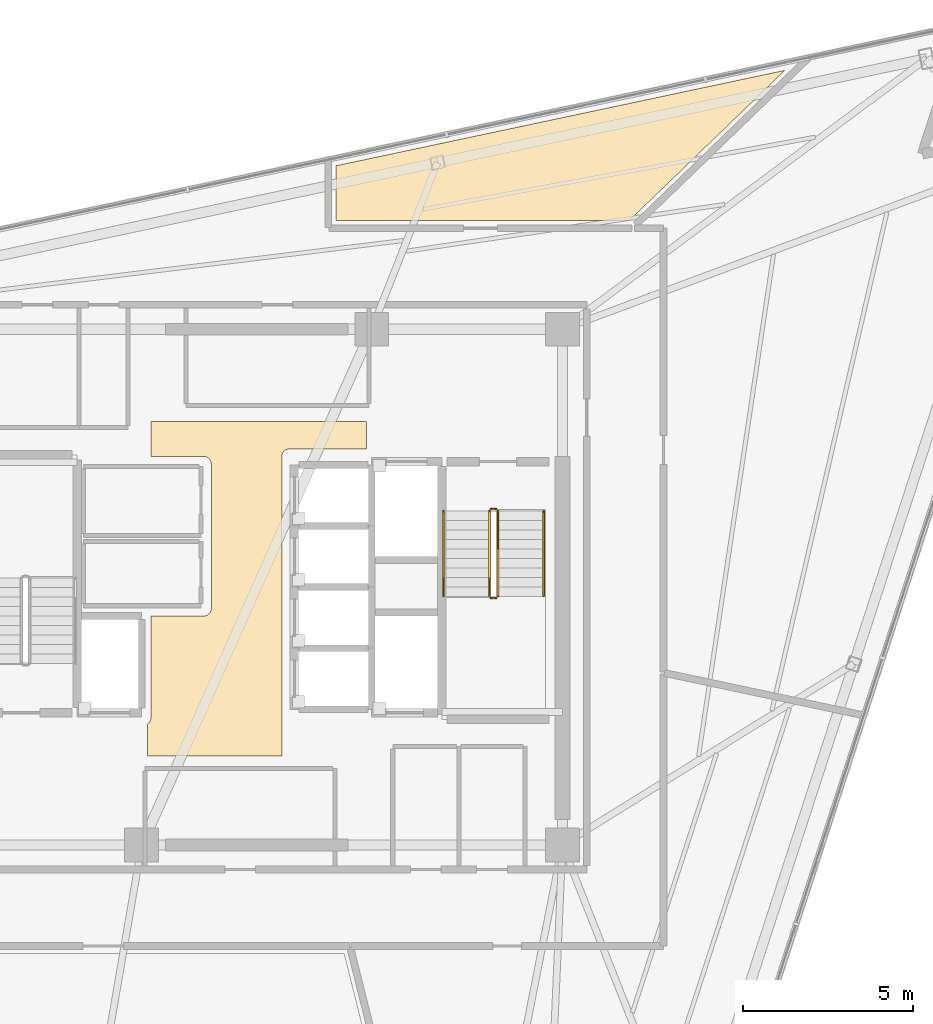
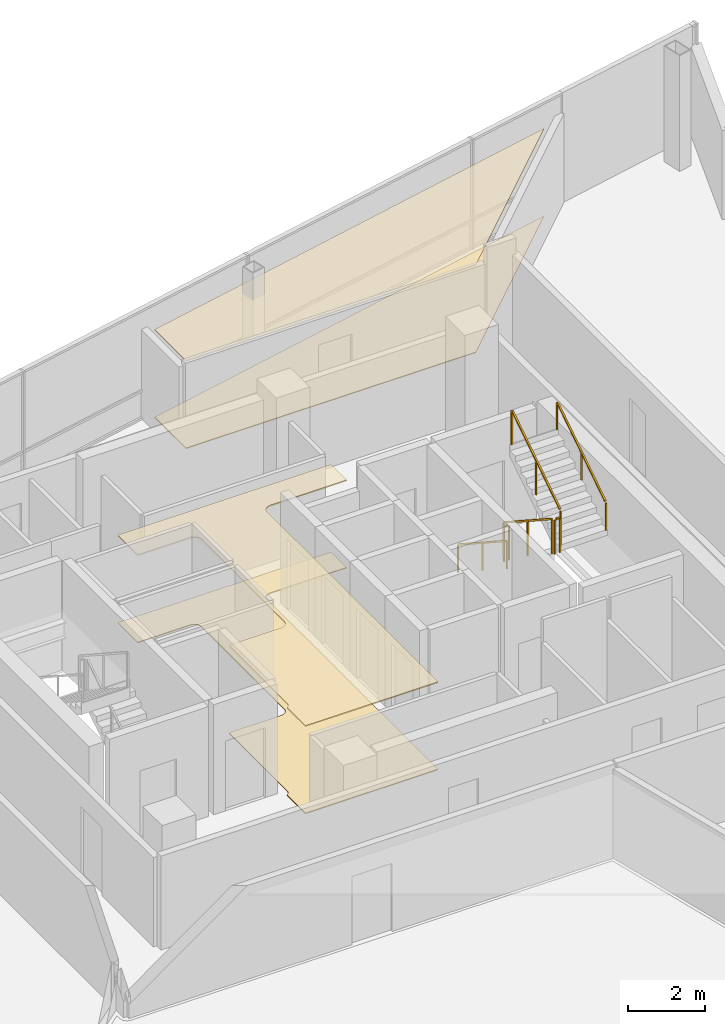
# One storey, part 15 of 15: 6 railings, 4 coverings.
"""IFC4 building model written with IfcOpenShell, lengths in metres."""

import ifcopenshell
import ifcopenshell.guid

model = None  # the IFC model being written
_history = None  # IfcOwnerHistory: only IFC2X3 demands one
_inside = {}  # id of a spatial element -> (the spatial element, [elements in it])
_under = {}  # id of a project, library or spatial element -> (it, [spatial elements below it])
_declared = {}  # id of a project -> (the project, [libraries it declares])
_typed = {}  # id of a type object -> (the type object, [elements of that type])
_made_of = {}  # id of a material, layer set ... -> (it, [elements and type objects made of it])


def new_model(schema):
    """Start an empty IFC model of exactly this schema.

    Asked for "IFC4X3", IfcOpenShell would pick the latest addendum, in which some entities
    have other attributes; the version numbers below select the first issue.
    IFC2X3 requires an IfcOwnerHistory on every rooted entity: one is made here for all.
    """
    global model, _history
    if schema == "IFC4X3":
        model = ifcopenshell.file(schema_version=(4, 3, 0, 0))
    else:
        model = ifcopenshell.file(schema=schema)
    _inside.clear()
    _under.clear()
    _declared.clear()
    _typed.clear()
    _made_of.clear()
    _history = None
    if model.schema == "IFC2X3":
        org = make("IfcOrganization", Name="unknown")
        user = make(
            "IfcPersonAndOrganization",
            ThePerson=make("IfcPerson", FamilyName="unknown"),
            TheOrganization=org,
        )
        app = make(
            "IfcApplication",
            ApplicationDeveloper=org,
            Version="unknown",
            ApplicationFullName="unknown",
            ApplicationIdentifier="unknown",
        )
        _history = make(
            "IfcOwnerHistory",
            OwningUser=user,
            OwningApplication=app,
            ChangeAction="ADDED",
            CreationDate=0,
        )
    return model


def make(cls, **values):
    """One entity of the class cls with the attributes given. An attribute that is None is left unset."""
    return model.create_entity(
        cls, **{name: value for name, value in values.items() if value is not None}
    )


def rooted(cls, **values):
    """An entity with a GlobalId (a new one), such as an element, a storey or a relation."""
    return make(cls, GlobalId=ifcopenshell.guid.new(), OwnerHistory=_history, **values)


def si_unit(unit_type, name, prefix=None):
    """IfcSIUnit, for example si_unit("LENGTHUNIT", "METRE", prefix="MILLI")."""
    return make("IfcSIUnit", UnitType=unit_type, Prefix=prefix, Name=name)


def assignment(units):
    """IfcUnitAssignment: the units of a project."""
    return None if units is None else make("IfcUnitAssignment", Units=units)


def point(xyz):
    """IfcCartesianPoint."""
    return None if xyz is None else make("IfcCartesianPoint", Coordinates=xyz)


def direction(xyz):
    """IfcDirection."""
    return None if xyz is None else make("IfcDirection", DirectionRatios=xyz)


def frame(location, z_axis=None, x_axis=None):
    """IfcAxis2Placement3D, a coordinate frame: its origin and axes. An axis left out is left unset."""
    return make(
        "IfcAxis2Placement3D",
        Location=point(location),
        Axis=direction(z_axis),
        RefDirection=direction(x_axis),
    )


def frame_2d(location, x_axis=None):
    """IfcAxis2Placement2D, a coordinate frame in the plane: its origin and x axis."""
    return make(
        "IfcAxis2Placement2D", Location=point(location), RefDirection=direction(x_axis)
    )


def origin():
    """The frame at (0, 0, 0) with its axes left unset."""
    return frame((0.0, 0.0, 0.0))


def origin_2d():
    """The frame at (0, 0) in the plane with its x axis left unset."""
    return frame_2d((0.0, 0.0))


def place(relative_to, where):
    """IfcLocalPlacement: puts the frame where relative to a parent placement (None: the world)."""
    return make(
        "IfcLocalPlacement", PlacementRelTo=relative_to, RelativePlacement=where
    )


def context(
    kind, dimensions, precision=None, world=None, true_north=None, identifier=None
):
    """IfcGeometricRepresentationContext, for example the 3D "Model" context."""
    return make(
        "IfcGeometricRepresentationContext",
        ContextIdentifier=identifier,
        ContextType=kind,
        CoordinateSpaceDimension=dimensions,
        Precision=precision,
        WorldCoordinateSystem=world,
        TrueNorth=true_north,
    )


def subcontext(parent, identifier, kind, view, scale=None):
    """IfcGeometricRepresentationSubContext, for example "Body" below "Model"."""
    return make(
        "IfcGeometricRepresentationSubContext",
        ContextIdentifier=identifier,
        ContextType=kind,
        ParentContext=parent,
        TargetScale=scale,
        TargetView=view,
    )


def project(units=None, contexts=None):
    """IfcProject with its units and contexts."""
    return rooted(
        "IfcProject",
        Name="project",
        RepresentationContexts=contexts,
        UnitsInContext=assignment(units),
    )


def spatial(cls, under=None, at=None, **own):
    """A site, building, storey or space (cls), placed at a placement, below another one or the project."""
    s = rooted(cls, ObjectPlacement=at, **own)
    if under is not None:
        _under.setdefault(under.id(), (under, []))[1].append(s)
    return s


def polyline(points):
    """IfcPolyline through the points."""
    return make("IfcPolyline", Points=[point(p) for p in points])


def profile(cls, at=None, kind="AREA", **sizes):
    """A parametric profile (cls). Its sizes go by their IFC names, for example OverallWidth=200.0."""
    return make(cls, ProfileType=kind, Position=at, **sizes)


def rectangle(**sizes):
    """IfcRectangleProfileDef."""
    return profile("IfcRectangleProfileDef", **sizes)


def outline(outer, holes=None, kind="AREA"):
    """IfcArbitraryClosedProfileDef: a profile drawn as a closed curve; with holes, ...WithVoids."""
    if holes is None:
        return make("IfcArbitraryClosedProfileDef", ProfileType=kind, OuterCurve=outer)
    return make(
        "IfcArbitraryProfileDefWithVoids",
        ProfileType=kind,
        OuterCurve=outer,
        InnerCurves=holes,
    )


def extrude(swept, where, along, depth):
    """IfcExtrudedAreaSolid: the profile swept, set in the frame where, extruded along a direction by depth."""
    return make(
        "IfcExtrudedAreaSolid",
        SweptArea=swept,
        Position=where,
        ExtrudedDirection=direction(along),
        Depth=depth,
    )


def shape(context_of_items, identifier, shape_type, items):
    """IfcShapeRepresentation: the items that make up one representation, for example the "Body"."""
    return make(
        "IfcShapeRepresentation",
        ContextOfItems=context_of_items,
        RepresentationIdentifier=identifier,
        RepresentationType=shape_type,
        Items=items,
    )


def material(Name=None, Category=None):
    """IfcMaterial."""
    return make("IfcMaterial", Name=Name, Category=Category)


def layer(
    of_material, thickness, ventilated=None, Name=None, Category=None, Priority=None
):
    """IfcMaterialLayer: one layer of a wall or slab, of a material (None: an air gap)."""
    return make(
        "IfcMaterialLayer",
        Material=of_material,
        LayerThickness=thickness,
        IsVentilated=ventilated,
        Name=Name,
        Category=Category,
        Priority=Priority,
    )


def layer_set(layers, Name=None):
    """IfcMaterialLayerSet."""
    return make("IfcMaterialLayerSet", MaterialLayers=layers, LayerSetName=Name)


def made_of(thing, what):
    """Note that an element or type object is made of a material, layer set ...; save() writes the relation."""
    if what is not None:
        _made_of.setdefault(what.id(), (what, []))[1].append(thing)
    return thing


def type_object(cls, material=None, **own):
    """A type object (cls), such as IfcWallType, which elements share."""
    return made_of(rooted(cls, **own), material)


def element(
    cls,
    number,
    at=None,
    inside=None,
    cuts=None,
    type_object=None,
    material=None,
    context=None,
    identifier="Body",
    shape_type=None,
    held_by="IfcProductDefinitionShape",
    body=None,
    shapes=None,
    **own,
):
    """One element of the class cls, such as IfcWall. Its Tag is "e" and its number.

    at: its placement. inside: the storey or other place that contains it. cuts: it is an
    opening in that element (IfcRelVoidsElement). A single representation is given by context,
    identifier, shape_type and body (its items); several are given by shapes. held_by: the class
    of the entity that holds the representations. save() writes the other relations.
    """
    e = rooted(cls, Tag="e%d" % number, ObjectPlacement=at, **own)
    if body is not None:
        shapes = [shape(context, identifier, shape_type, body)]
    if shapes is not None:
        e.Representation = make(held_by, Representations=shapes)
    if inside is not None:
        _inside.setdefault(inside.id(), (inside, []))[1].append(e)
    if cuts is not None:
        rooted(
            "IfcRelVoidsElement", RelatingBuildingElement=cuts, RelatedOpeningElement=e
        )
    if type_object is not None:
        _typed.setdefault(type_object.id(), (type_object, []))[1].append(e)
    return made_of(e, material)


def aggregate(whole, parts):
    """IfcRelAggregates: a whole, such as a stair, and the parts it consists of."""
    return rooted("IfcRelAggregates", RelatingObject=whole, RelatedObjects=parts)


def save(model, path):
    """Write the relations noted so far, then the file.

    IfcRelAggregates (storeys below a building ...), IfcRelContainedInSpatialStructure (elements
    in a storey), IfcRelDefinesByType, IfcRelAssociatesMaterial and IfcRelDeclares: one each for
    every whole, place, type object, material and project.
    """
    for whole, parts in _under.values():
        aggregate(whole, parts)
    for where, things in _inside.values():
        rooted(
            "IfcRelContainedInSpatialStructure",
            RelatedElements=things,
            RelatingStructure=where,
        )
    for kind, things in _typed.values():
        rooted("IfcRelDefinesByType", RelatedObjects=things, RelatingType=kind)
    for what, things in _made_of.values():
        rooted("IfcRelAssociatesMaterial", RelatedObjects=things, RelatingMaterial=what)
    for by, libraries in _declared.values():
        rooted("IfcRelDeclares", RelatingContext=by, RelatedDefinitions=libraries)
    model.write(path)


model = new_model("IFC4")

# Units and contexts
model_context = context("Model", 3, precision=1e-05, world=origin(), true_north=direction((0.0, 1.0)))
body_context = subcontext(model_context, "Body", "Model", "MODEL_VIEW")
ifc_project = project(units=[si_unit("LENGTHUNIT", "METRE"), si_unit("AREAUNIT", "SQUARE_METRE"), si_unit("VOLUMEUNIT", "CUBIC_METRE"), si_unit("PLANEANGLEUNIT", "RADIAN"), si_unit("MASSUNIT", "GRAM", prefix="KILO")], contexts=[model_context])

# Site, building, storey
site_placement = place(None, origin())
site = spatial("IfcSite", under=ifc_project, at=site_placement, CompositionType="ELEMENT")
building_placement = place(site_placement, origin())
building = spatial("IfcBuilding", under=site, at=building_placement, Name="Tharavind Bronze Gate", CompositionType="ELEMENT")
storey_placement = place(building_placement, frame((0.0, 0.0, 283.39990234375)))
storey = spatial("IfcBuildingStorey", under=building, at=storey_placement, Name="L73", CompositionType="ELEMENT", Elevation=283.39990234375)

# Coverings
ifc_material_1 = material(Name="Perforated Bronze Acoustic Panel", Category="bronze")
ifc_layer_1 = layer(ifc_material_1, 0.044921875)
ifc_layer_set_1 = layer_set([ifc_layer_1], Name="Perforated Bronze Acoustic Panel")
covering_type_1 = type_object("IfcCoveringType", Name="ACOUSTIC BRONZE BAFFLE CEILING", PredefinedType="CEILING", material=ifc_layer_set_1)
covering_1_placement = place(storey_placement, frame((0.0, 0.0, 2.75)))
element("IfcCovering", 1, at=covering_1_placement, inside=storey, type_object=covering_type_1, Name="L73-C-LL suspended ceiling", PredefinedType="CEILING", context=body_context, shape_type="SweptSolid", body=[
    extrude(outline(polyline([(-3.330078125, -4.97998046875), (0.6298828125, -4.97998046875), (0.6298828125, 3.85009765625), (0.631103515625, 3.87158203125), (0.63427734375, 3.892822265625), (0.639404296875, 3.913818359375), (0.646728515625, 3.93408203125), (0.656005859375, 3.95361328125), (0.6669921875, 3.97216796875), (0.679931640625, 3.989501953125), (0.6943359375, 4.005615234375), (0.71044921875, 4.02001953125), (0.727783203125, 4.032958984375), (0.746337890625, 4.0439453125), (0.765869140625, 4.05322265625), (0.7861328125, 4.060546875), (0.80712890625, 4.06591796875), (0.828369140625, 4.06884765625), (0.85009765625, 4.070068359375), (3.1298828125, 4.070068359375), (3.1298828125, 4.8798828125), (-3.22998046875, 4.8798828125), (-3.22998046875, 3.85009765625), (-1.669921875, 3.85009765625), (-1.6484375, 3.848876953125), (-1.627197265625, 3.845703125), (-1.606201171875, 3.840576171875), (-1.585693359375, 3.833251953125), (-1.56640625, 3.823974609375), (-1.5478515625, 3.81298828125), (-1.530517578125, 3.800048828125), (-1.514404296875, 3.78564453125), (-1.5, 3.76953125), (-1.487060546875, 3.752197265625), (-1.47607421875, 3.733642578125), (-1.466796875, 3.714111328125), (-1.45947265625, 3.69384765625), (-1.4541015625, 3.6728515625), (-1.451171875, 3.651611328125), (-1.449951171875, 3.6298828125), (-1.449951171875, 1.43994140625), (-1.450439453125, 1.429931640625), (-1.449951171875, 1.419921875), (-1.449951171875, -0.6298828125), (-1.451171875, -0.651611328125), (-1.4541015625, -0.6728515625), (-1.45947265625, -0.69384765625), (-1.466796875, -0.714111328125), (-1.47607421875, -0.733642578125), (-1.487060546875, -0.752197265625), (-1.5, -0.76953125), (-1.514404296875, -0.78564453125), (-1.530517578125, -0.800048828125), (-1.5478515625, -0.81298828125), (-1.56640625, -0.823974609375), (-1.585693359375, -0.833251953125), (-1.606201171875, -0.840576171875), (-1.627197265625, -0.845703125), (-1.6484375, -0.848876953125), (-1.669921875, -0.85009765625), (-3.22998046875, -0.85009765625), (-3.22998046875, -3.85009765625), (-3.231201171875, -3.87158203125), (-3.234130859375, -3.892822265625), (-3.239501953125, -3.913818359375), (-3.24658203125, -3.93408203125), (-3.256103515625, -3.95361328125), (-3.26708984375, -3.97216796875), (-3.27978515625, -3.989501953125), (-3.29443359375, -4.005615234375), (-3.310302734375, -4.02001953125), (-3.327880859375, -4.032958984375), (-3.330078125, -4.0341796875), (-3.330078125, -4.97998046875)])), origin(), (0.0, 0.0, 1.0), 0.03515625),
])
ifc_material_2 = material(Name="Engineered Oak & Carpet Tile", Category="wood")
ifc_layer_2 = layer(ifc_material_2, 0.02490234375)
ifc_layer_set_2 = layer_set([ifc_layer_2], Name="Engineered Oak & Carpet Tile")
covering_type_2 = type_object("IfcCoveringType", Name="ENGINEERED TIMBER FLOORING", PredefinedType="FLOORING", material=ifc_layer_set_2)
covering_2_placement = place(storey_placement, origin())
element("IfcCovering", 2, at=covering_2_placement, inside=storey, type_object=covering_type_2, Name="L73-RM-01 floor finish", PredefinedType="FLOORING", context=body_context, shape_type="SweptSolid", body=[
    extrude(outline(polyline([(10.866943359375, 10.800048828125), (15.455810546875, 15.231201171875), (2.219970703125, 12.41796875), (2.219970703125, 10.800048828125), (10.866943359375, 10.800048828125)])), origin(), (0.0, 0.0, 1.0), 0.025146484375),
])
ifc_material_3 = material(Name="Acoustic Gypsum Board", Category="gypsum")
ifc_layer_3 = layer(ifc_material_3, 0.030029296875)
ifc_layer_set_3 = layer_set([ifc_layer_3], Name="Acoustic Gypsum Board")
covering_type_3 = type_object("IfcCoveringType", Name="GYPSUM SUSPENDED CEILING", PredefinedType="CEILING", material=ifc_layer_set_3)
covering_3_placement = place(storey_placement, frame((0.0, 0.0, 2.75)))
element("IfcCovering", 3, at=covering_3_placement, inside=storey, type_object=covering_type_3, Name="L73-RM-01 suspended ceiling", PredefinedType="CEILING", context=body_context, shape_type="SweptSolid", body=[
    extrude(outline(polyline([(10.866943359375, 10.800048828125), (15.455810546875, 15.231201171875), (2.219970703125, 12.41796875), (2.219970703125, 10.800048828125), (10.866943359375, 10.800048828125)])), origin(), (0.0, 0.0, 1.0), 0.03515625),
])
ifc_material_4 = material(Name="Honed Travertine Limestone", Category="masonry")
ifc_layer_4 = layer(ifc_material_4, 0.030029296875)
ifc_layer_set_4 = layer_set([ifc_layer_4], Name="Honed Travertine Limestone")
covering_type_4 = type_object("IfcCoveringType", Name="HONED LIMESTONE FLOORING", PredefinedType="FLOORING", material=ifc_layer_set_4)
covering_4_placement = place(storey_placement, origin())
element("IfcCovering", 4, at=covering_4_placement, inside=storey, type_object=covering_type_4, Name="L73-C-LL floor finish", PredefinedType="FLOORING", context=body_context, shape_type="SweptSolid", body=[
    extrude(outline(polyline([(-3.330078125, -4.97998046875), (0.6298828125, -4.97998046875), (0.6298828125, 3.85009765625), (0.631103515625, 3.87158203125), (0.63427734375, 3.892822265625), (0.639404296875, 3.913818359375), (0.646728515625, 3.93408203125), (0.656005859375, 3.95361328125), (0.6669921875, 3.97216796875), (0.679931640625, 3.989501953125), (0.6943359375, 4.005615234375), (0.71044921875, 4.02001953125), (0.727783203125, 4.032958984375), (0.746337890625, 4.0439453125), (0.765869140625, 4.05322265625), (0.7861328125, 4.060546875), (0.80712890625, 4.06591796875), (0.828369140625, 4.06884765625), (0.85009765625, 4.070068359375), (3.1298828125, 4.070068359375), (3.1298828125, 4.8798828125), (-3.22998046875, 4.8798828125), (-3.22998046875, 3.85009765625), (-1.669921875, 3.85009765625), (-1.6484375, 3.848876953125), (-1.627197265625, 3.845703125), (-1.606201171875, 3.840576171875), (-1.585693359375, 3.833251953125), (-1.56640625, 3.823974609375), (-1.5478515625, 3.81298828125), (-1.530517578125, 3.800048828125), (-1.514404296875, 3.78564453125), (-1.5, 3.76953125), (-1.487060546875, 3.752197265625), (-1.47607421875, 3.733642578125), (-1.466796875, 3.714111328125), (-1.45947265625, 3.69384765625), (-1.4541015625, 3.6728515625), (-1.451171875, 3.651611328125), (-1.449951171875, 3.6298828125), (-1.449951171875, 1.43994140625), (-1.450439453125, 1.429931640625), (-1.449951171875, 1.419921875), (-1.449951171875, -0.6298828125), (-1.451171875, -0.651611328125), (-1.4541015625, -0.6728515625), (-1.45947265625, -0.69384765625), (-1.466796875, -0.714111328125), (-1.47607421875, -0.733642578125), (-1.487060546875, -0.752197265625), (-1.5, -0.76953125), (-1.514404296875, -0.78564453125), (-1.530517578125, -0.800048828125), (-1.5478515625, -0.81298828125), (-1.56640625, -0.823974609375), (-1.585693359375, -0.833251953125), (-1.606201171875, -0.840576171875), (-1.627197265625, -0.845703125), (-1.6484375, -0.848876953125), (-1.669921875, -0.85009765625), (-3.22998046875, -0.85009765625), (-3.22998046875, -3.85009765625), (-3.231201171875, -3.87158203125), (-3.234130859375, -3.892822265625), (-3.239501953125, -3.913818359375), (-3.24658203125, -3.93408203125), (-3.256103515625, -3.95361328125), (-3.26708984375, -3.97216796875), (-3.27978515625, -3.989501953125), (-3.29443359375, -4.005615234375), (-3.310302734375, -4.02001953125), (-3.327880859375, -4.032958984375), (-3.330078125, -4.0341796875), (-3.330078125, -4.97998046875)])), origin(), (0.0, 0.0, 1.0), 0.025146484375),
])

# Railings
ifc_material_5 = material(Name="Brushed Bronze Alloy", Category="metal")
railing_type_1 = type_object("IfcRailingType", Name="STAIR BRONZE HANDRAIL 900", PredefinedType="HANDRAIL", material=ifc_material_5)
railing_1_placement = place(storey_placement, frame((5.39990234375, 2.25, 0.1826171875)))
element("IfcRailing", 5, at=railing_1_placement, inside=storey, type_object=railing_type_1, Name="L73 ST2 stair handrail 1", PredefinedType="HANDRAIL", context=body_context, shape_type="SweptSolid", body=[
    extrude(rectangle(XDim=0.048095703125, YDim=0.048095703125, at=origin_2d()), frame((0.0, -0.02685546875, 0.893310546875), z_axis=(0.0, -0.837749427056, 0.546054848405), x_axis=(1.0, 0.0, 0.0)), (0.0, 0.0, 1.0), 2.944091796875),
    extrude(rectangle(XDim=0.0400390625, YDim=0.0400390625, at=origin_2d()), origin(), (0.0, 0.0, 1.0), 0.847900390625),
    extrude(rectangle(XDim=0.0400390625, YDim=0.0400390625, at=origin_2d()), frame((0.0, -1.260009765625, 0.8212890625)), (0.0, 0.0, 1.0), 0.847900390625),
    extrude(rectangle(XDim=0.0400390625, YDim=0.0400390625, at=origin_2d()), frame((0.0, -2.52001953125, 1.642578125)), (0.0, 0.0, 1.0), 0.847900390625),
])
railing_2_placement = place(storey_placement, frame((8.35009765625, -0.27001953125, 2.007568359375)))
element("IfcRailing", 6, at=railing_2_placement, inside=storey, type_object=railing_type_1, Name="L73 ST2 stair handrail 2", PredefinedType="HANDRAIL", context=body_context, shape_type="SweptSolid", body=[
    extrude(rectangle(XDim=0.048095703125, YDim=0.048095703125, at=origin_2d()), frame((0.0, 0.02685546875, 0.893310546875), z_axis=(0.0, 0.837749427056, 0.546054848405), x_axis=(-1.0, 0.0, 0.0)), (0.0, 0.0, 1.0), 2.944091796875),
    extrude(rectangle(XDim=0.0400390625, YDim=0.0400390625, at=origin_2d()), origin(), (0.0, 0.0, 1.0), 0.847900390625),
    extrude(rectangle(XDim=0.0400390625, YDim=0.0400390625, at=origin_2d()), frame((0.0, 1.260009765625, 0.8212890625)), (0.0, 0.0, 1.0), 0.847900390625),
    extrude(rectangle(XDim=0.0400390625, YDim=0.0400390625, at=origin_2d()), frame((0.0, 2.52001953125, 1.642578125)), (0.0, 0.0, 1.0), 0.847900390625),
])
railing_type_2 = type_object("IfcRailingType", Name="STAIR WELL GUARD RAILING 1120", PredefinedType="GUARDRAIL", material=ifc_material_5)
railing_3_placement = place(storey_placement, frame((6.75, 2.25, 0.1826171875)))
element("IfcRailing", 7, at=railing_3_placement, inside=storey, type_object=railing_type_2, Name="L73 ST2 stair guard 1", PredefinedType="GUARDRAIL", context=body_context, shape_type="SweptSolid", body=[
    extrude(rectangle(XDim=0.048095703125, YDim=0.048095703125, at=origin_2d()), frame((0.0, -0.02685546875, 1.113525390625), z_axis=(0.0, -0.837749427056, 0.546054848405), x_axis=(1.0, 0.0, 0.0)), (0.0, 0.0, 1.0), 2.944091796875),
    extrude(rectangle(XDim=0.0400390625, YDim=0.0400390625, at=origin_2d()), origin(), (0.0, 0.0, 1.0), 1.068115234375),
    extrude(rectangle(XDim=0.0400390625, YDim=0.0400390625, at=origin_2d()), frame((0.0, -1.260009765625, 0.8212890625)), (0.0, 0.0, 1.0), 1.068115234375),
    extrude(rectangle(XDim=0.0400390625, YDim=0.0400390625, at=origin_2d()), frame((0.0, -2.52001953125, 1.642578125)), (0.0, 0.0, 1.0), 1.068115234375),
])
railing_4_placement = place(storey_placement, frame((6.800048828125, -0.320068359375, 1.8251953125)))
element("IfcRailing", 8, at=railing_4_placement, inside=storey, type_object=railing_type_2, Name="L73 ST2 stair guard 2", PredefinedType="GUARDRAIL", context=body_context, shape_type="SweptSolid", body=[
    extrude(rectangle(XDim=0.048095703125, YDim=0.048095703125, at=origin_2d()), frame((0.031982421875, 0.0, 1.09619140625), z_axis=(1.0, 0.0, 0.0), x_axis=(0.0, 1.0, 0.0)), (0.0, 0.0, 1.0), 0.0859375),
    extrude(rectangle(XDim=0.0400390625, YDim=0.0400390625, at=origin_2d()), origin(), (0.0, 0.0, 1.0), 1.068115234375),
    extrude(rectangle(XDim=0.0400390625, YDim=0.0400390625, at=origin_2d()), frame((0.14990234375, 0.0, 0.0)), (0.0, 0.0, 1.0), 1.068115234375),
])
railing_5_placement = place(storey_placement, frame((7.0, -0.27001953125, 2.007568359375)))
element("IfcRailing", 9, at=railing_5_placement, inside=storey, type_object=railing_type_2, Name="L73 ST2 stair guard 3", PredefinedType="GUARDRAIL", context=body_context, shape_type="SweptSolid", body=[
    extrude(rectangle(XDim=0.048095703125, YDim=0.048095703125, at=origin_2d()), frame((0.0, 0.02685546875, 1.113525390625), z_axis=(0.0, 0.837749427056, 0.546054848405), x_axis=(-1.0, 0.0, 0.0)), (0.0, 0.0, 1.0), 2.944091796875),
    extrude(rectangle(XDim=0.0400390625, YDim=0.0400390625, at=origin_2d()), origin(), (0.0, 0.0, 1.0), 1.068115234375),
    extrude(rectangle(XDim=0.0400390625, YDim=0.0400390625, at=origin_2d()), frame((0.0, 1.260009765625, 0.8212890625)), (0.0, 0.0, 1.0), 1.068115234375),
    extrude(rectangle(XDim=0.0400390625, YDim=0.0400390625, at=origin_2d()), frame((0.0, 2.52001953125, 1.642578125)), (0.0, 0.0, 1.0), 1.068115234375),
])
railing_6_placement = place(storey_placement, frame((6.800048828125, 2.300048828125, 0.0)))
element("IfcRailing", 10, at=railing_6_placement, inside=storey, type_object=railing_type_2, Name="L73 ST2 stair guard 4", PredefinedType="GUARDRAIL", context=body_context, shape_type="SweptSolid", body=[
    extrude(rectangle(XDim=0.048095703125, YDim=0.048095703125, at=origin_2d()), frame((0.031982421875, 0.0, 1.09619140625), z_axis=(1.0, 0.0, 0.0), x_axis=(0.0, 1.0, 0.0)), (0.0, 0.0, 1.0), 0.0859375),
    extrude(rectangle(XDim=0.0400390625, YDim=0.0400390625, at=origin_2d()), origin(), (0.0, 0.0, 1.0), 1.068115234375),
    extrude(rectangle(XDim=0.0400390625, YDim=0.0400390625, at=origin_2d()), frame((0.14990234375, 0.0, 0.0)), (0.0, 0.0, 1.0), 1.068115234375),
])

save(model, "model.ifc")
